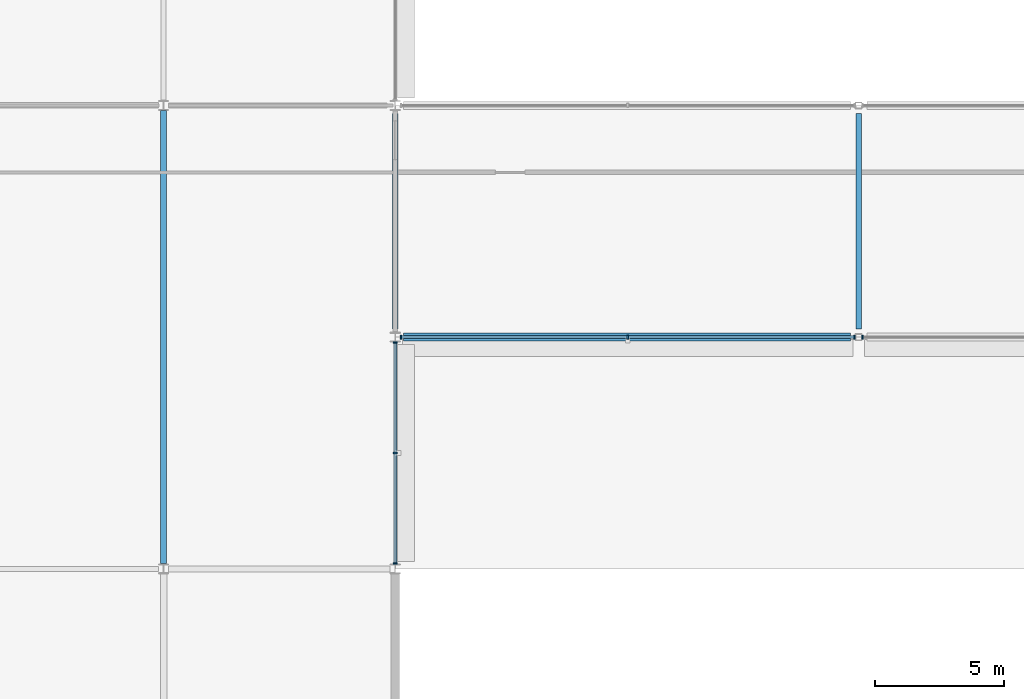
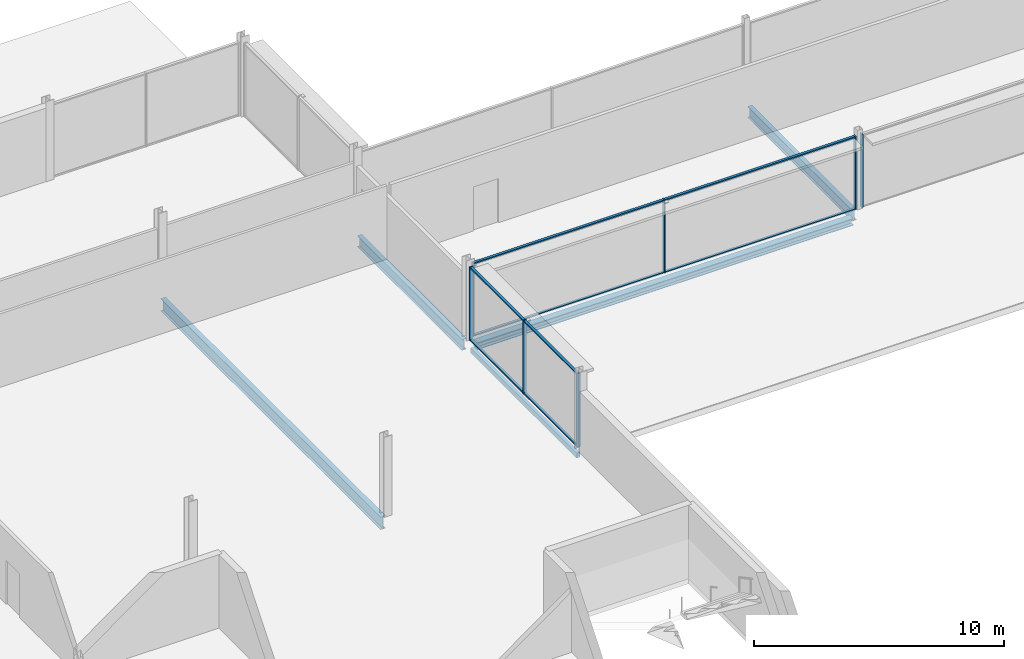
# One storey, part 30 of 105: 15 members, 5 beams, 3 elements without a shape of their own.
"""IFC4 building model written with IfcOpenShell, lengths in metres."""

from ifc_helpers import new_model, si_unit, direction, frame, origin, origin_2d, place, context, subcontext, project, spatial, rectangle, hollow_rectangle, i_section, extrude, material, layer, layer_set, material_profile, profile_set, type_object, element, aggregate, save


model = new_model("IFC4")

# Units and contexts
model_context = context("Model", 3, precision=1e-05, world=origin(), true_north=direction((0.0, 1.0)))
body_context = subcontext(model_context, "Body", "Model", "MODEL_VIEW")
ifc_project = project(units=[si_unit("LENGTHUNIT", "METRE"), si_unit("AREAUNIT", "SQUARE_METRE"), si_unit("VOLUMEUNIT", "CUBIC_METRE"), si_unit("PLANEANGLEUNIT", "RADIAN"), si_unit("MASSUNIT", "GRAM", prefix="KILO")], contexts=[model_context])

# Site, building, storey
site_placement = place(None, origin())
site = spatial("IfcSite", under=ifc_project, at=site_placement, CompositionType="ELEMENT")
building_placement = place(site_placement, origin())
building = spatial("IfcBuilding", under=site, at=building_placement, Name="Kisiwana Market Hall", CompositionType="ELEMENT")
storey_placement = place(building_placement, frame((0.0, 0.0, 21.60009765625)))
storey = spatial("IfcBuildingStorey", under=building, at=storey_placement, Name="L04", CompositionType="ELEMENT", Elevation=21.60009765625)

# Beams
ifc_material_1 = material(Name="Steel S355", Category="steel")
ifc_material_profile_1 = material_profile(ifc_material_1, i_section(OverallWidth=0.209228515625, OverallDepth=0.533203125, WebThickness=0.010009765625, FlangeThickness=0.015625, at=origin_2d()), Name="UB 533x210x92")
ifc_profile_set_1 = profile_set([ifc_material_profile_1], Name="Steel S355")
beam_type_1 = type_object("IfcBeamType", Name="BM-GIRD-UB533", PredefinedType="BEAM", material=ifc_profile_set_1)
for number, where, z_axis, x_axis, name in (
    (1, (45.0, 93.321044921875, -0.53173828125), (0.0, 1.0, 0.0), (-1.0, 0.0, 0.0), "Primary girder B-1358"),
    (2, (63.0, 93.321044921875, -0.53173828125), (0.0, 1.0, 0.0), (-1.0, 0.0, 0.0), "Primary girder B-1360"),
):
    element("IfcBeam", number, at=place(storey_placement, frame(where, z_axis=z_axis, x_axis=x_axis)), inside=storey, type_object=beam_type_1, Name=name, PredefinedType="BEAM", context=body_context, shape_type="SweptSolid", body=[
        extrude(i_section(OverallWidth=0.209228515625, OverallDepth=0.533203125, WebThickness=0.010009765625, FlangeThickness=0.015625, at=origin_2d()), origin(), (0.0, 0.0, 1.0), 8.35791015625),
    ])
ifc_material_2 = material(Name="Steel S355", Category="steel")
ifc_material_profile_2 = material_profile(ifc_material_2, i_section(OverallWidth=0.22900390625, OverallDepth=0.6123046875, WebThickness=0.011962890625, FlangeThickness=0.01953125, at=origin_2d()), Name="UB 610x229x125")
ifc_profile_set_2 = profile_set([ifc_material_profile_2], Name="Steel S355")
beam_type_2 = type_object("IfcBeamType", Name="BM-GIRD-UB610H", PredefinedType="BEAM", material=ifc_profile_set_2)
beam_1_placement = place(storey_placement, frame((36.0, 84.2041015625, -0.55126953125), z_axis=(0.0, 1.0, 0.0), x_axis=(-1.0, 0.0, 0.0)))
element("IfcBeam", 3, at=beam_1_placement, inside=storey, type_object=beam_type_2, Name="Primary girder B-1355", PredefinedType="BEAM", context=body_context, shape_type="SweptSolid", body=[
    extrude(i_section(OverallWidth=0.22900390625, OverallDepth=0.6123046875, WebThickness=0.011962890625, FlangeThickness=0.01953125, at=origin_2d()), origin(), (0.0, 0.0, 1.0), 17.591796875),
])
ifc_material_3 = material(Name="Steel S355", Category="steel")
ifc_material_profile_3 = material_profile(ifc_material_3, i_section(OverallWidth=0.314453125, OverallDepth=0.33984375, WebThickness=0.01904296875, FlangeThickness=0.031494140625, at=origin_2d()), Name="UC 305x305x198")
ifc_profile_set_3 = profile_set([ifc_material_profile_3], Name="Steel S355")
beam_type_3 = type_object("IfcBeamType", Name="BM-SKYBR-CHORD", PredefinedType="BEAM", material=ifc_profile_set_3)
beam_2_placement = place(storey_placement, frame((45.321044921875, 93.0, -0.462158203125), z_axis=(1.0, 0.0, 0.0), x_axis=(0.0, 1.0, 0.0)))
element("IfcBeam", 4, at=beam_2_placement, inside=storey, type_object=beam_type_3, Name="Floor beam B-1461", PredefinedType="BEAM", context=body_context, shape_type="SweptSolid", body=[
    extrude(i_section(OverallWidth=0.314453125, OverallDepth=0.33984375, WebThickness=0.01904296875, FlangeThickness=0.031494140625, at=origin_2d()), origin(), (0.0, 0.0, 1.0), 17.35791015625),
])
ifc_material_4 = material(Name="Steel S355", Category="steel")
ifc_material_profile_4 = material_profile(ifc_material_4, hollow_rectangle(XDim=0.14990234375, YDim=0.25, WallThickness=0.010009765625, at=origin_2d()), Name="RHS 250x150x10.0")
ifc_profile_set_4 = profile_set([ifc_material_profile_4], Name="Steel S355")
beam_type_4 = type_object("IfcBeamType", Name="BM-SPAN-RHS250", PredefinedType="SPANDREL", material=ifc_profile_set_4)
beam_3_placement = place(storey_placement, frame((45.0, 84.21337890625, -0.4169921875), z_axis=(0.0, 1.0, 0.0), x_axis=(-1.0, 0.0, 0.0)))
element("IfcBeam", 5, at=beam_3_placement, inside=storey, type_object=beam_type_4, Name="Floor beam B-1501", PredefinedType="SPANDREL", context=body_context, shape_type="SweptSolid", body=[
    extrude(hollow_rectangle(XDim=0.14990234375, YDim=0.25, WallThickness=0.010009765625, at=origin_2d()), origin(), (0.0, 0.0, 1.0), 8.465576171875),
])

# Curtain wall, members
ifc_material_5 = material(Name="Double-glazed solar-control low-E IGU", Category="glass")
ifc_layer = layer(ifc_material_5, 0.159912109375)
ifc_layer_set = layer_set([ifc_layer], Name="CW-ZNA-EW-8200")
curtain_wall_type = type_object("IfcCurtainWallType", Name="CW-ZNA-EW-8200", PredefinedType="USERDEFINED", material=ifc_layer_set)
curtain_wall_1_placement = place(storey_placement, origin())
curtain_wall_1 = element("IfcCurtainWall", 6, at=curtain_wall_1_placement, inside=storey, type_object=curtain_wall_type, Name="Unitised curtain wall CW-104 (L04)", ObjectType="UNITISED CURTAIN WALL", PredefinedType="USERDEFINED")
ifc_material_6 = material(Name="Aluminium alloy 6063-T6", Category="aluminium")
ifc_material_profile_5 = material_profile(ifc_material_6, rectangle(XDim=0.06005859375, YDim=0.159912109375, at=origin_2d()), Name="ALU MULLION 60x160")
ifc_profile_set_5 = profile_set([ifc_material_profile_5], Name="Aluminium alloy 6063-T6")
member_type_1 = type_object("IfcMemberType", Name="CW-MULL-60x160", PredefinedType="MULLION", material=ifc_profile_set_5)
member_1_placement = place(storey_placement, frame((45.21630859375, 93.0, 0.0), z_axis=(0.0, 0.0, 1.0), x_axis=(1.0, 0.0, 0.0)))
member_1 = element("IfcMember", 7, at=member_1_placement, type_object=member_type_1, Name="CW-104 mullion 1", PredefinedType="MULLION", context=body_context, shape_type="SweptSolid", body=[
    extrude(rectangle(XDim=0.06005859375, YDim=0.159912109375, at=origin_2d()), origin(), (0.0, 0.0, 1.0), 3.5849609375),
])
member_2_placement = place(storey_placement, frame((54.03076171875, 93.0, 0.0), z_axis=(0.0, 0.0, 1.0), x_axis=(1.0, 0.0, 0.0)))
member_2 = element("IfcMember", 8, at=member_2_placement, type_object=member_type_1, Name="CW-104 mullion 2", PredefinedType="MULLION", context=body_context, shape_type="SweptSolid", body=[
    extrude(rectangle(XDim=0.06005859375, YDim=0.159912109375, at=origin_2d()), origin(), (0.0, 0.0, 1.0), 3.5849609375),
])
member_3_placement = place(storey_placement, frame((62.844970703125, 93.0, 0.0), z_axis=(0.0, 0.0, 1.0), x_axis=(1.0, 0.0, 0.0)))
member_3 = element("IfcMember", 9, at=member_3_placement, type_object=member_type_1, Name="CW-104 mullion 3", PredefinedType="MULLION", context=body_context, shape_type="SweptSolid", body=[
    extrude(rectangle(XDim=0.06005859375, YDim=0.159912109375, at=origin_2d()), origin(), (0.0, 0.0, 1.0), 3.5849609375),
])

# Curtain wall, member
curtain_wall_2_placement = place(storey_placement, origin())
curtain_wall_2 = element("IfcCurtainWall", 10, at=curtain_wall_2_placement, inside=storey, type_object=curtain_wall_type, Name="Unitised curtain wall CW-105 (L04)", ObjectType="UNITISED CURTAIN WALL", PredefinedType="USERDEFINED")
member_4_placement = place(storey_placement, frame((63.155029296875, 93.0, 0.0), z_axis=(0.0, 0.0, 1.0), x_axis=(1.0, 0.0, 0.0)))
member_4 = element("IfcMember", 11, at=member_4_placement, type_object=member_type_1, Name="CW-105 mullion 1", PredefinedType="MULLION", context=body_context, shape_type="SweptSolid", body=[
    extrude(rectangle(XDim=0.06005859375, YDim=0.159912109375, at=origin_2d()), origin(), (0.0, 0.0, 1.0), 3.5849609375),
])
aggregate(curtain_wall_2, [member_4])

# Curtain wall, members
curtain_wall_3_placement = place(storey_placement, origin())
curtain_wall_3 = element("IfcCurtainWall", 12, at=curtain_wall_3_placement, inside=storey, type_object=curtain_wall_type, Name="Unitised curtain wall CW-122 (L04)", ObjectType="UNITISED CURTAIN WALL", PredefinedType="USERDEFINED")
member_5_placement = place(storey_placement, frame((45.0, 84.214111328125, 0.0), z_axis=(0.0, 0.0, 1.0), x_axis=(0.0, 1.0, 0.0)))
member_5 = element("IfcMember", 13, at=member_5_placement, type_object=member_type_1, Name="CW-122 mullion 1", PredefinedType="MULLION", context=body_context, shape_type="SweptSolid", body=[
    extrude(rectangle(XDim=0.06005859375, YDim=0.159912109375, at=origin_2d()), origin(), (0.0, 0.0, 1.0), 3.5849609375),
])
member_6_placement = place(storey_placement, frame((45.0, 88.5, 0.0), z_axis=(0.0, 0.0, 1.0), x_axis=(0.0, 1.0, 0.0)))
member_6 = element("IfcMember", 14, at=member_6_placement, type_object=member_type_1, Name="CW-122 mullion 2", PredefinedType="MULLION", context=body_context, shape_type="SweptSolid", body=[
    extrude(rectangle(XDim=0.06005859375, YDim=0.159912109375, at=origin_2d()), origin(), (0.0, 0.0, 1.0), 3.5849609375),
])
member_7_placement = place(storey_placement, frame((45.0, 92.785888671875, 0.0), z_axis=(0.0, 0.0, 1.0), x_axis=(0.0, 1.0, 0.0)))
member_7 = element("IfcMember", 15, at=member_7_placement, type_object=member_type_1, Name="CW-122 mullion 3", PredefinedType="MULLION", context=body_context, shape_type="SweptSolid", body=[
    extrude(rectangle(XDim=0.06005859375, YDim=0.159912109375, at=origin_2d()), origin(), (0.0, 0.0, 1.0), 3.5849609375),
])

# Member
ifc_material_7 = material(Name="Aluminium alloy 6063-T6", Category="aluminium")
ifc_material_profile_6 = material_profile(ifc_material_7, rectangle(XDim=0.1201171875, YDim=0.06005859375, at=origin_2d()), Name="ALU TRANSOM 60x120")
ifc_profile_set_6 = profile_set([ifc_material_profile_6], Name="Aluminium alloy 6063-T6")
member_type_2 = type_object("IfcMemberType", Name="CW-TRAN-60x120", PredefinedType="USERDEFINED", material=ifc_profile_set_6)
member_8_placement = place(storey_placement, frame((45.246337890625, 93.0, 0.02978515625), z_axis=(1.0, 0.0, 0.0), x_axis=(0.0, 1.0, 0.0)))
member_8 = element("IfcMember", 16, at=member_8_placement, type_object=member_type_2, Name="CW-104 transom 1.1", ObjectType="TRANSOM", PredefinedType="USERDEFINED", context=body_context, shape_type="SweptSolid", body=[
    extrude(rectangle(XDim=0.1201171875, YDim=0.06005859375, at=origin_2d()), origin(), (0.0, 0.0, 1.0), 8.75439453125),
])

member_9_placement = place(storey_placement, frame((45.246337890625, 93.0, 3.554931640625), z_axis=(1.0, 0.0, 0.0), x_axis=(0.0, 1.0, 0.0)))
member_9 = element("IfcMember", 17, at=member_9_placement, type_object=member_type_2, Name="CW-104 transom 1.2", ObjectType="TRANSOM", PredefinedType="USERDEFINED", context=body_context, shape_type="SweptSolid", body=[
    extrude(rectangle(XDim=0.1201171875, YDim=0.06005859375, at=origin_2d()), origin(), (0.0, 0.0, 1.0), 8.75439453125),
])

member_10_placement = place(storey_placement, frame((54.060546875, 93.0, 0.02978515625), z_axis=(1.0, 0.0, 0.0), x_axis=(0.0, 1.0, 0.0)))
member_10 = element("IfcMember", 18, at=member_10_placement, type_object=member_type_2, Name="CW-104 transom 2.1", ObjectType="TRANSOM", PredefinedType="USERDEFINED", context=body_context, shape_type="SweptSolid", body=[
    extrude(rectangle(XDim=0.1201171875, YDim=0.06005859375, at=origin_2d()), origin(), (0.0, 0.0, 1.0), 8.75439453125),
])

member_11_placement = place(storey_placement, frame((54.060546875, 93.0, 3.554931640625), z_axis=(1.0, 0.0, 0.0), x_axis=(0.0, 1.0, 0.0)))
member_11 = element("IfcMember", 19, at=member_11_placement, type_object=member_type_2, Name="CW-104 transom 2.2", ObjectType="TRANSOM", PredefinedType="USERDEFINED", context=body_context, shape_type="SweptSolid", body=[
    extrude(rectangle(XDim=0.1201171875, YDim=0.06005859375, at=origin_2d()), origin(), (0.0, 0.0, 1.0), 8.75439453125),
])

aggregate(curtain_wall_1, [member_1, member_2, member_3, member_8, member_9, member_10, member_11])

member_12_placement = place(storey_placement, frame((45.0, 84.244140625, 0.02978515625), z_axis=(0.0, 1.0, 0.0), x_axis=(-1.0, 0.0, 0.0)))
member_12 = element("IfcMember", 20, at=member_12_placement, type_object=member_type_2, Name="CW-122 transom 1.1", ObjectType="TRANSOM", PredefinedType="USERDEFINED", context=body_context, shape_type="SweptSolid", body=[
    extrude(rectangle(XDim=0.1201171875, YDim=0.06005859375, at=origin_2d()), origin(), (0.0, 0.0, 1.0), 4.225830078125),
])

member_13_placement = place(storey_placement, frame((45.0, 84.244140625, 3.554931640625), z_axis=(0.0, 1.0, 0.0), x_axis=(-1.0, 0.0, 0.0)))
member_13 = element("IfcMember", 21, at=member_13_placement, type_object=member_type_2, Name="CW-122 transom 1.2", ObjectType="TRANSOM", PredefinedType="USERDEFINED", context=body_context, shape_type="SweptSolid", body=[
    extrude(rectangle(XDim=0.1201171875, YDim=0.06005859375, at=origin_2d()), origin(), (0.0, 0.0, 1.0), 4.225830078125),
])

member_14_placement = place(storey_placement, frame((45.0, 88.530029296875, 0.02978515625), z_axis=(0.0, 1.0, 0.0), x_axis=(-1.0, 0.0, 0.0)))
member_14 = element("IfcMember", 22, at=member_14_placement, type_object=member_type_2, Name="CW-122 transom 2.1", ObjectType="TRANSOM", PredefinedType="USERDEFINED", context=body_context, shape_type="SweptSolid", body=[
    extrude(rectangle(XDim=0.1201171875, YDim=0.06005859375, at=origin_2d()), origin(), (0.0, 0.0, 1.0), 4.225830078125),
])

member_15_placement = place(storey_placement, frame((45.0, 88.530029296875, 3.554931640625), z_axis=(0.0, 1.0, 0.0), x_axis=(-1.0, 0.0, 0.0)))
member_15 = element("IfcMember", 23, at=member_15_placement, type_object=member_type_2, Name="CW-122 transom 2.2", ObjectType="TRANSOM", PredefinedType="USERDEFINED", context=body_context, shape_type="SweptSolid", body=[
    extrude(rectangle(XDim=0.1201171875, YDim=0.06005859375, at=origin_2d()), origin(), (0.0, 0.0, 1.0), 4.225830078125),
])

aggregate(curtain_wall_3, [member_5, member_6, member_7, member_12, member_13, member_14, member_15])

save(model, "model.ifc")
